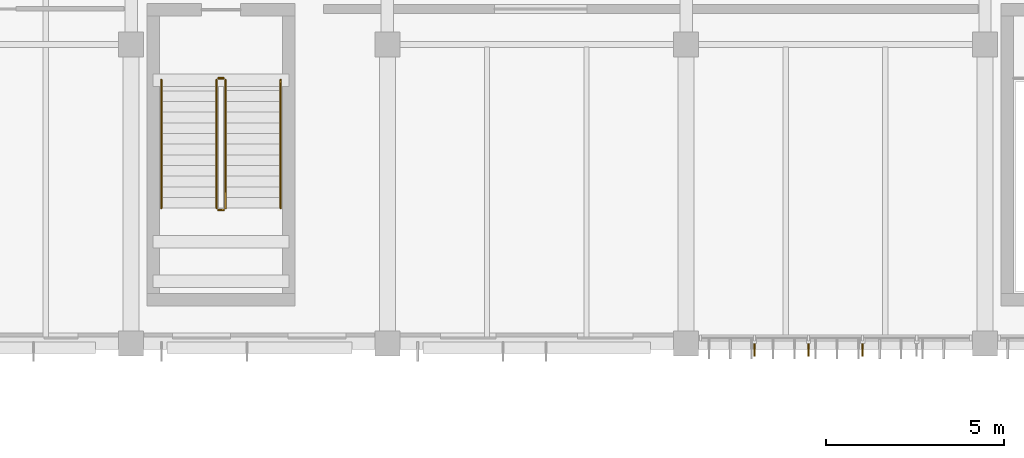
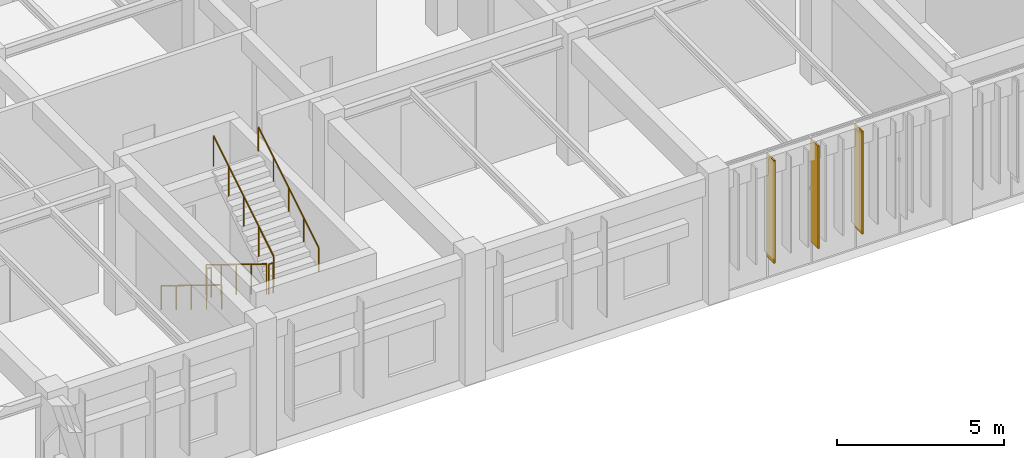
# One storey, part 119 of 122: 6 railings, 3 shading devices.
"""IFC4 building model written with IfcOpenShell, lengths in metres."""

import ifcopenshell
import ifcopenshell.guid

model = None  # the IFC model being written
_history = None  # IfcOwnerHistory: only IFC2X3 demands one
_inside = {}  # id of a spatial element -> (the spatial element, [elements in it])
_under = {}  # id of a project, library or spatial element -> (it, [spatial elements below it])
_declared = {}  # id of a project -> (the project, [libraries it declares])
_typed = {}  # id of a type object -> (the type object, [elements of that type])
_made_of = {}  # id of a material, layer set ... -> (it, [elements and type objects made of it])


def new_model(schema):
    """Start an empty IFC model of exactly this schema.

    Asked for "IFC4X3", IfcOpenShell would pick the latest addendum, in which some entities
    have other attributes; the version numbers below select the first issue.
    IFC2X3 requires an IfcOwnerHistory on every rooted entity: one is made here for all.
    """
    global model, _history
    if schema == "IFC4X3":
        model = ifcopenshell.file(schema_version=(4, 3, 0, 0))
    else:
        model = ifcopenshell.file(schema=schema)
    _inside.clear()
    _under.clear()
    _declared.clear()
    _typed.clear()
    _made_of.clear()
    _history = None
    if model.schema == "IFC2X3":
        org = make("IfcOrganization", Name="unknown")
        user = make(
            "IfcPersonAndOrganization",
            ThePerson=make("IfcPerson", FamilyName="unknown"),
            TheOrganization=org,
        )
        app = make(
            "IfcApplication",
            ApplicationDeveloper=org,
            Version="unknown",
            ApplicationFullName="unknown",
            ApplicationIdentifier="unknown",
        )
        _history = make(
            "IfcOwnerHistory",
            OwningUser=user,
            OwningApplication=app,
            ChangeAction="ADDED",
            CreationDate=0,
        )
    return model


def make(cls, **values):
    """One entity of the class cls with the attributes given. An attribute that is None is left unset."""
    return model.create_entity(
        cls, **{name: value for name, value in values.items() if value is not None}
    )


def rooted(cls, **values):
    """An entity with a GlobalId (a new one), such as an element, a storey or a relation."""
    return make(cls, GlobalId=ifcopenshell.guid.new(), OwnerHistory=_history, **values)


def si_unit(unit_type, name, prefix=None):
    """IfcSIUnit, for example si_unit("LENGTHUNIT", "METRE", prefix="MILLI")."""
    return make("IfcSIUnit", UnitType=unit_type, Prefix=prefix, Name=name)


def assignment(units):
    """IfcUnitAssignment: the units of a project."""
    return None if units is None else make("IfcUnitAssignment", Units=units)


def point(xyz):
    """IfcCartesianPoint."""
    return None if xyz is None else make("IfcCartesianPoint", Coordinates=xyz)


def direction(xyz):
    """IfcDirection."""
    return None if xyz is None else make("IfcDirection", DirectionRatios=xyz)


def frame(location, z_axis=None, x_axis=None):
    """IfcAxis2Placement3D, a coordinate frame: its origin and axes. An axis left out is left unset."""
    return make(
        "IfcAxis2Placement3D",
        Location=point(location),
        Axis=direction(z_axis),
        RefDirection=direction(x_axis),
    )


def frame_2d(location, x_axis=None):
    """IfcAxis2Placement2D, a coordinate frame in the plane: its origin and x axis."""
    return make(
        "IfcAxis2Placement2D", Location=point(location), RefDirection=direction(x_axis)
    )


def origin():
    """The frame at (0, 0, 0) with its axes left unset."""
    return frame((0.0, 0.0, 0.0))


def origin_2d():
    """The frame at (0, 0) in the plane with its x axis left unset."""
    return frame_2d((0.0, 0.0))


def place(relative_to, where):
    """IfcLocalPlacement: puts the frame where relative to a parent placement (None: the world)."""
    return make(
        "IfcLocalPlacement", PlacementRelTo=relative_to, RelativePlacement=where
    )


def context(
    kind, dimensions, precision=None, world=None, true_north=None, identifier=None
):
    """IfcGeometricRepresentationContext, for example the 3D "Model" context."""
    return make(
        "IfcGeometricRepresentationContext",
        ContextIdentifier=identifier,
        ContextType=kind,
        CoordinateSpaceDimension=dimensions,
        Precision=precision,
        WorldCoordinateSystem=world,
        TrueNorth=true_north,
    )


def subcontext(parent, identifier, kind, view, scale=None):
    """IfcGeometricRepresentationSubContext, for example "Body" below "Model"."""
    return make(
        "IfcGeometricRepresentationSubContext",
        ContextIdentifier=identifier,
        ContextType=kind,
        ParentContext=parent,
        TargetScale=scale,
        TargetView=view,
    )


def project(units=None, contexts=None):
    """IfcProject with its units and contexts."""
    return rooted(
        "IfcProject",
        Name="project",
        RepresentationContexts=contexts,
        UnitsInContext=assignment(units),
    )


def spatial(cls, under=None, at=None, **own):
    """A site, building, storey or space (cls), placed at a placement, below another one or the project."""
    s = rooted(cls, ObjectPlacement=at, **own)
    if under is not None:
        _under.setdefault(under.id(), (under, []))[1].append(s)
    return s


def profile(cls, at=None, kind="AREA", **sizes):
    """A parametric profile (cls). Its sizes go by their IFC names, for example OverallWidth=200.0."""
    return make(cls, ProfileType=kind, Position=at, **sizes)


def rectangle(**sizes):
    """IfcRectangleProfileDef."""
    return profile("IfcRectangleProfileDef", **sizes)


def circle(**sizes):
    """IfcCircleProfileDef."""
    return profile("IfcCircleProfileDef", **sizes)


def extrude(swept, where, along, depth):
    """IfcExtrudedAreaSolid: the profile swept, set in the frame where, extruded along a direction by depth."""
    return make(
        "IfcExtrudedAreaSolid",
        SweptArea=swept,
        Position=where,
        ExtrudedDirection=direction(along),
        Depth=depth,
    )


def shape(context_of_items, identifier, shape_type, items):
    """IfcShapeRepresentation: the items that make up one representation, for example the "Body"."""
    return make(
        "IfcShapeRepresentation",
        ContextOfItems=context_of_items,
        RepresentationIdentifier=identifier,
        RepresentationType=shape_type,
        Items=items,
    )


def material(Name=None, Category=None):
    """IfcMaterial."""
    return make("IfcMaterial", Name=Name, Category=Category)


def layer(
    of_material, thickness, ventilated=None, Name=None, Category=None, Priority=None
):
    """IfcMaterialLayer: one layer of a wall or slab, of a material (None: an air gap)."""
    return make(
        "IfcMaterialLayer",
        Material=of_material,
        LayerThickness=thickness,
        IsVentilated=ventilated,
        Name=Name,
        Category=Category,
        Priority=Priority,
    )


def layer_set(layers, Name=None):
    """IfcMaterialLayerSet."""
    return make("IfcMaterialLayerSet", MaterialLayers=layers, LayerSetName=Name)


def material_profile(
    of_material, cross_section, Name=None, Category=None, Priority=None
):
    """IfcMaterialProfile: a cross section and its material."""
    return make(
        "IfcMaterialProfile",
        Name=Name,
        Material=of_material,
        Profile=cross_section,
        Priority=Priority,
        Category=Category,
    )


def profile_set(profiles, Name=None, composite=None):
    """IfcMaterialProfileSet."""
    return make(
        "IfcMaterialProfileSet",
        Name=Name,
        MaterialProfiles=profiles,
        CompositeProfile=composite,
    )


def made_of(thing, what):
    """Note that an element or type object is made of a material, layer set ...; save() writes the relation."""
    if what is not None:
        _made_of.setdefault(what.id(), (what, []))[1].append(thing)
    return thing


def type_object(cls, material=None, **own):
    """A type object (cls), such as IfcWallType, which elements share."""
    return made_of(rooted(cls, **own), material)


def element(
    cls,
    number,
    at=None,
    inside=None,
    cuts=None,
    type_object=None,
    material=None,
    context=None,
    identifier="Body",
    shape_type=None,
    held_by="IfcProductDefinitionShape",
    body=None,
    shapes=None,
    **own,
):
    """One element of the class cls, such as IfcWall. Its Tag is "e" and its number.

    at: its placement. inside: the storey or other place that contains it. cuts: it is an
    opening in that element (IfcRelVoidsElement). A single representation is given by context,
    identifier, shape_type and body (its items); several are given by shapes. held_by: the class
    of the entity that holds the representations. save() writes the other relations.
    """
    e = rooted(cls, Tag="e%d" % number, ObjectPlacement=at, **own)
    if body is not None:
        shapes = [shape(context, identifier, shape_type, body)]
    if shapes is not None:
        e.Representation = make(held_by, Representations=shapes)
    if inside is not None:
        _inside.setdefault(inside.id(), (inside, []))[1].append(e)
    if cuts is not None:
        rooted(
            "IfcRelVoidsElement", RelatingBuildingElement=cuts, RelatedOpeningElement=e
        )
    if type_object is not None:
        _typed.setdefault(type_object.id(), (type_object, []))[1].append(e)
    return made_of(e, material)


def aggregate(whole, parts):
    """IfcRelAggregates: a whole, such as a stair, and the parts it consists of."""
    return rooted("IfcRelAggregates", RelatingObject=whole, RelatedObjects=parts)


def save(model, path):
    """Write the relations noted so far, then the file.

    IfcRelAggregates (storeys below a building ...), IfcRelContainedInSpatialStructure (elements
    in a storey), IfcRelDefinesByType, IfcRelAssociatesMaterial and IfcRelDeclares: one each for
    every whole, place, type object, material and project.
    """
    for whole, parts in _under.values():
        aggregate(whole, parts)
    for where, things in _inside.values():
        rooted(
            "IfcRelContainedInSpatialStructure",
            RelatedElements=things,
            RelatingStructure=where,
        )
    for kind, things in _typed.values():
        rooted("IfcRelDefinesByType", RelatedObjects=things, RelatingType=kind)
    for what, things in _made_of.values():
        rooted("IfcRelAssociatesMaterial", RelatedObjects=things, RelatingMaterial=what)
    for by, libraries in _declared.values():
        rooted("IfcRelDeclares", RelatingContext=by, RelatedDefinitions=libraries)
    model.write(path)


model = new_model("IFC4")

# Units and contexts
model_context = context("Model", 3, precision=1e-05, world=origin(), true_north=direction((0.0, 1.0)))
body_context = subcontext(model_context, "Body", "Model", "MODEL_VIEW")
ifc_project = project(units=[si_unit("LENGTHUNIT", "METRE"), si_unit("AREAUNIT", "SQUARE_METRE"), si_unit("VOLUMEUNIT", "CUBIC_METRE"), si_unit("PLANEANGLEUNIT", "RADIAN"), si_unit("MASSUNIT", "GRAM", prefix="KILO")], contexts=[model_context])

# Site, building, storey
site_placement = place(None, origin())
site = spatial("IfcSite", under=ifc_project, at=site_placement, CompositionType="ELEMENT")
building_placement = place(site_placement, origin())
building = spatial("IfcBuilding", under=site, at=building_placement, Name="Tazoul Stagehouse", CompositionType="ELEMENT")
storey_placement = place(building_placement, origin())
storey = spatial("IfcBuildingStorey", under=building, at=storey_placement, Name="L00", CompositionType="ELEMENT", Elevation=0.0)

# Shading devices
ifc_material_1 = material(Name="Anodised Bronze Aluminium 6063-T6", Category="aluminium")
ifc_layer_1 = layer(ifc_material_1, 0.050048828125, Name="Anodised Bronze Aluminium 6063-T6")
ifc_layer_set_1 = layer_set([ifc_layer_1], Name="Anodised Bronze Aluminium 6063-T6")
shading_device_type_1 = type_object("IfcShadingDeviceType", Name="Angled Acoustic Sun-Screen Blade 460", PredefinedType="USERDEFINED", material=ifc_layer_set_1)
for number, where, z_axis, x_axis, name in (
    (1, (127.320068359375, 87.669921875, 0.75), (0.0, 0.0, 1.0), (1.0, 0.0, 0.0), "Shading Louvre FIN-02 CW-V3-S2-L00-B1-SHD01"),
    (2, (130.360107421875, 87.669921875, 0.75), (0.0, 0.0, 1.0), (1.0, 0.0, 0.0), "Shading Louvre FIN-02 CW-V3-S2-L00-B1-SHD03"),
):
    element("IfcShadingDevice", number, at=place(storey_placement, frame(where, z_axis=z_axis, x_axis=x_axis)), inside=storey, type_object=shading_device_type_1, Name=name, ObjectType="FIN", PredefinedType="USERDEFINED", context=body_context, shape_type="SweptSolid", body=[
        extrude(rectangle(XDim=0.044921875, YDim=0.4599609375, at=origin_2d()), origin(), (0.0, 0.0, 1.0), 3.75),
    ])

# Railings
ifc_material_2 = material(Name="Brushed Stainless Steel 316L", Category="steel")
ifc_material_profile_1 = material_profile(ifc_material_2, circle(Radius=0.02392578125, at=origin_2d()), Name="SS RAIL D48")
ifc_profile_set_1 = profile_set([ifc_material_profile_1], Name="Brushed Stainless Steel 316L")
railing_type_1 = type_object("IfcRailingType", Name="Architectural Guardrail H1120", PredefinedType="GUARDRAIL", material=ifc_profile_set_1)
railing_1_placement = place(storey_placement, frame((112.199951171875, 95.199951171875, 0.1845703125)))
element("IfcRailing", 3, at=railing_1_placement, inside=storey, type_object=railing_type_1, Name="L00 ST-04 stair guard 1", PredefinedType="GUARDRAIL", context=body_context, shape_type="SweptSolid", body=[
    extrude(circle(Radius=0.02392578125, at=origin_2d()), frame((0.0, 0.0, 1.09619140625), z_axis=(0.0, -0.851654350407, 0.524103870844), x_axis=(1.0, 0.0, 0.0)), (0.0, 0.0, 1.0), 4.226806640625),
    extrude(circle(Radius=0.02099609375, at=origin_2d()), origin(), (0.0, 0.0, 1.0), 1.072021484375),
    extrude(circle(Radius=0.02099609375, at=origin_2d()), frame((0.0, -0.89990234375, 0.5537109375)), (0.0, 0.0, 1.0), 1.072021484375),
    extrude(circle(Radius=0.02099609375, at=origin_2d()), frame((0.0, -1.7998046875, 1.107666015625)), (0.0, 0.0, 1.0), 1.072021484375),
    extrude(circle(Radius=0.02099609375, at=origin_2d()), frame((0.0, -2.699951171875, 1.66162109375)), (0.0, 0.0, 1.0), 1.072021484375),
    extrude(circle(Radius=0.02099609375, at=origin_2d()), frame((0.0, -3.599853515625, 2.21533203125)), (0.0, 0.0, 1.0), 1.072021484375),
])
railing_2_placement = place(storey_placement, frame((112.25, 91.550048828125, 2.39990234375)))
element("IfcRailing", 4, at=railing_2_placement, inside=storey, type_object=railing_type_1, Name="L00 ST-04 stair guard 2", PredefinedType="GUARDRAIL", context=body_context, shape_type="SweptSolid", body=[
    extrude(circle(Radius=0.02392578125, at=origin_2d()), frame((0.0, 0.0, 1.09619140625), z_axis=(1.0, 0.0, 0.0), x_axis=(0.0, 1.0, 0.0)), (0.0, 0.0, 1.0), 0.14990234375),
    extrude(circle(Radius=0.02099609375, at=origin_2d()), origin(), (0.0, 0.0, 1.0), 1.072021484375),
    extrude(circle(Radius=0.02099609375, at=origin_2d()), frame((0.14990234375, 0.0, 0.0)), (0.0, 0.0, 1.0), 1.072021484375),
])
railing_3_placement = place(storey_placement, frame((112.449951171875, 91.60009765625, 2.584716796875)))
element("IfcRailing", 5, at=railing_3_placement, inside=storey, type_object=railing_type_1, Name="L00 ST-04 stair guard 3", PredefinedType="GUARDRAIL", context=body_context, shape_type="SweptSolid", body=[
    extrude(circle(Radius=0.02392578125, at=origin_2d()), frame((0.0, 0.0, 1.09619140625), z_axis=(0.0, 0.851654350407, 0.524103870844), x_axis=(-1.0, 0.0, 0.0)), (0.0, 0.0, 1.0), 4.226806640625),
    extrude(circle(Radius=0.02099609375, at=origin_2d()), origin(), (0.0, 0.0, 1.0), 1.072021484375),
    extrude(circle(Radius=0.02099609375, at=origin_2d()), frame((0.0, 0.89990234375, 0.5537109375)), (0.0, 0.0, 1.0), 1.072021484375),
    extrude(circle(Radius=0.02099609375, at=origin_2d()), frame((0.0, 1.7998046875, 1.107666015625)), (0.0, 0.0, 1.0), 1.072021484375),
    extrude(circle(Radius=0.02099609375, at=origin_2d()), frame((0.0, 2.699951171875, 1.66162109375)), (0.0, 0.0, 1.0), 1.072021484375),
    extrude(circle(Radius=0.02099609375, at=origin_2d()), frame((0.0, 3.599853515625, 2.21533203125)), (0.0, 0.0, 1.0), 1.072021484375),
])
railing_4_placement = place(storey_placement, frame((112.25, 95.25, 0.0)))
element("IfcRailing", 6, at=railing_4_placement, inside=storey, type_object=railing_type_1, Name="L00 ST-04 stair guard 4", PredefinedType="GUARDRAIL", context=body_context, shape_type="SweptSolid", body=[
    extrude(circle(Radius=0.02392578125, at=origin_2d()), frame((0.0, 0.0, 1.09619140625), z_axis=(1.0, 0.0, 0.0), x_axis=(0.0, 1.0, 0.0)), (0.0, 0.0, 1.0), 0.14990234375),
    extrude(circle(Radius=0.02099609375, at=origin_2d()), origin(), (0.0, 0.0, 1.0), 1.072021484375),
    extrude(circle(Radius=0.02099609375, at=origin_2d()), frame((0.14990234375, 0.0, 0.0)), (0.0, 0.0, 1.0), 1.072021484375),
])
ifc_material_profile_2 = material_profile(ifc_material_2, circle(Radius=0.02099609375, at=origin_2d()), Name="SS HANDRAIL D42")
ifc_profile_set_2 = profile_set([ifc_material_profile_2], Name="Brushed Stainless Steel 316L")
railing_type_2 = type_object("IfcRailingType", Name="Continuous Stair Handrail H900", PredefinedType="HANDRAIL", material=ifc_profile_set_2)
railing_5_placement = place(storey_placement, frame((110.64990234375, 95.199951171875, 0.1845703125)))
element("IfcRailing", 7, at=railing_5_placement, inside=storey, type_object=railing_type_2, Name="L00 ST-04 stair handrail 1", PredefinedType="HANDRAIL", context=body_context, shape_type="SweptSolid", body=[
    extrude(circle(Radius=0.02392578125, at=origin_2d()), frame((0.0, 0.0, 0.8759765625), z_axis=(0.0, -0.851654350407, 0.524103870844), x_axis=(1.0, 0.0, 0.0)), (0.0, 0.0, 1.0), 4.226806640625),
    extrude(circle(Radius=0.02099609375, at=origin_2d()), origin(), (0.0, 0.0, 1.0), 0.851806640625),
    extrude(circle(Radius=0.02099609375, at=origin_2d()), frame((0.0, -0.89990234375, 0.5537109375)), (0.0, 0.0, 1.0), 0.851806640625),
    extrude(circle(Radius=0.02099609375, at=origin_2d()), frame((0.0, -1.7998046875, 1.107666015625)), (0.0, 0.0, 1.0), 0.851806640625),
    extrude(circle(Radius=0.02099609375, at=origin_2d()), frame((0.0, -2.699951171875, 1.66162109375)), (0.0, 0.0, 1.0), 0.851806640625),
    extrude(circle(Radius=0.02099609375, at=origin_2d()), frame((0.0, -3.599853515625, 2.21533203125)), (0.0, 0.0, 1.0), 0.851806640625),
])
railing_6_placement = place(storey_placement, frame((114.0, 91.60009765625, 2.584716796875)))
element("IfcRailing", 8, at=railing_6_placement, inside=storey, type_object=railing_type_2, Name="L00 ST-04 stair handrail 2", PredefinedType="HANDRAIL", context=body_context, shape_type="SweptSolid", body=[
    extrude(circle(Radius=0.02392578125, at=origin_2d()), frame((0.0, 0.0, 0.8759765625), z_axis=(0.0, 0.851654350407, 0.524103870844), x_axis=(-1.0, 0.0, 0.0)), (0.0, 0.0, 1.0), 4.226806640625),
    extrude(circle(Radius=0.02099609375, at=origin_2d()), origin(), (0.0, 0.0, 1.0), 0.851806640625),
    extrude(circle(Radius=0.02099609375, at=origin_2d()), frame((0.0, 0.89990234375, 0.5537109375)), (0.0, 0.0, 1.0), 0.851806640625),
    extrude(circle(Radius=0.02099609375, at=origin_2d()), frame((0.0, 1.7998046875, 1.107666015625)), (0.0, 0.0, 1.0), 0.851806640625),
    extrude(circle(Radius=0.02099609375, at=origin_2d()), frame((0.0, 2.699951171875, 1.66162109375)), (0.0, 0.0, 1.0), 0.851806640625),
    extrude(circle(Radius=0.02099609375, at=origin_2d()), frame((0.0, 3.599853515625, 2.21533203125)), (0.0, 0.0, 1.0), 0.851806640625),
])

# Shading device
ifc_layer_2 = layer(ifc_material_1, 0.044921875, Name="Anodised Bronze Aluminium 6063-T6")
ifc_layer_set_2 = layer_set([ifc_layer_2], Name="Anodised Bronze Aluminium 6063-T6")
shading_device_type_2 = type_object("IfcShadingDeviceType", Name="Vertical Extruded Terracotta-Bronze Louvre 460", PredefinedType="JALOUSIE", material=ifc_layer_set_2)
shading_device_placement = place(storey_placement, frame((128.840087890625, 87.669921875, 0.75), z_axis=(0.0, 0.0, 1.0), x_axis=(1.0, 0.0, 0.0)))
element("IfcShadingDevice", 9, at=shading_device_placement, inside=storey, type_object=shading_device_type_2, Name="Shading Louvre FIN-01 CW-V3-S2-L00-B1-SHD02", PredefinedType="JALOUSIE", context=body_context, shape_type="SweptSolid", body=[
    extrude(rectangle(XDim=0.044921875, YDim=0.4599609375, at=origin_2d()), origin(), (0.0, 0.0, 1.0), 3.75),
])

save(model, "model.ifc")
